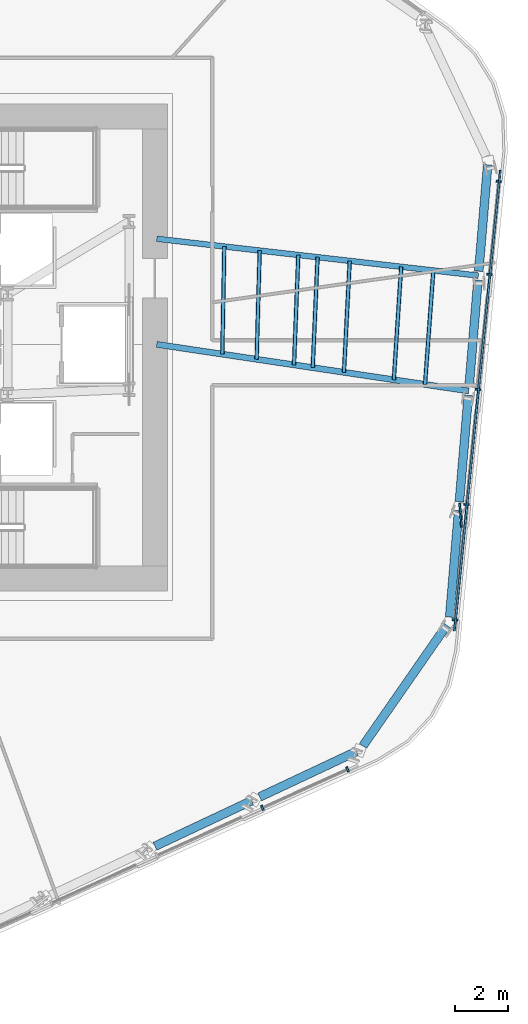
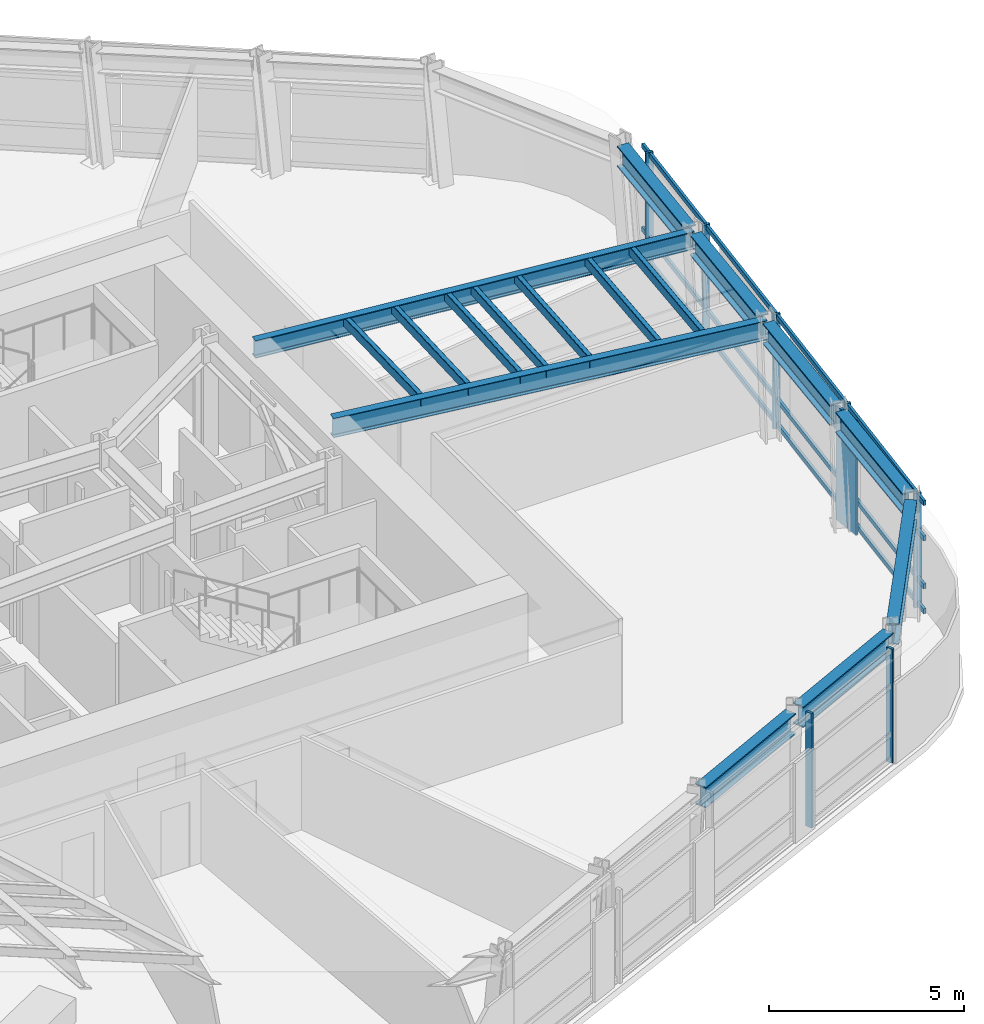
# One storey, part 5 of 16: 19 members, 9 beams, 2 elements without a shape of their own.
"""IFC4 building model written with IfcOpenShell, lengths in metres."""

from ifc_helpers import new_model, si_unit, direction, frame, origin, origin_2d, place, context, subcontext, project, spatial, rectangle, hollow_rectangle, i_section, extrude, material, layer, layer_set, material_profile, profile_set, type_object, element, aggregate, save


model = new_model("IFC4")

# Units and contexts
model_context = context("Model", 3, precision=1e-05, world=origin(), true_north=direction((0.0, 1.0)))
body_context = subcontext(model_context, "Body", "Model", "MODEL_VIEW")
ifc_project = project(units=[si_unit("LENGTHUNIT", "METRE"), si_unit("AREAUNIT", "SQUARE_METRE"), si_unit("VOLUMEUNIT", "CUBIC_METRE"), si_unit("PLANEANGLEUNIT", "RADIAN"), si_unit("MASSUNIT", "GRAM", prefix="KILO")], contexts=[model_context])

# Site, building, storey
site_placement = place(None, origin())
site = spatial("IfcSite", under=ifc_project, at=site_placement, CompositionType="ELEMENT")
building_placement = place(site_placement, origin())
building = spatial("IfcBuilding", under=site, at=building_placement, Name="Valkerne Bourse Tower", CompositionType="ELEMENT")
storey_placement = place(building_placement, frame((0.0, 0.0, 127.60009765625)))
storey = spatial("IfcBuildingStorey", under=building, at=storey_placement, Name="L32", CompositionType="ELEMENT", Elevation=127.60009765625)

# Beams
ifc_material_1 = material(Name="Steel ASTM A992", Category="steel")
ifc_material_profile_1 = material_profile(ifc_material_1, i_section(OverallWidth=0.2138671875, OverallDepth=0.548583984375, WebThickness=0.0146484375, FlangeThickness=0.023681640625, FilletRadius=0.017822265625, at=origin_2d()), Name="W21X93")
ifc_profile_set_1 = profile_set([ifc_material_profile_1], Name="Steel ASTM A992")
beam_type_1 = type_object("IfcBeamType", Name="BM-W21X93", PredefinedType="BEAM", material=ifc_profile_set_1)
beam_1_placement = place(storey_placement, frame((68.180419921875, 29.60302734375, 3.3056640625), z_axis=(-0.993487279475, 0.113943080178, 0.0), x_axis=(-0.113943080178, -0.993487279475, 0.0)))
element("IfcBeam", 1, at=beam_1_placement, inside=storey, type_object=beam_type_1, Name="L32 Radial Composite Floor Beam 28", PredefinedType="BEAM", context=body_context, shape_type="SweptSolid", body=[
    extrude(i_section(OverallWidth=0.2138671875, OverallDepth=0.548583984375, WebThickness=0.0146484375, FlangeThickness=0.023681640625, FilletRadius=0.017822265625, at=origin_2d()), origin(), (0.0, 0.0, 1.0), 12.26025390625),
])
ifc_material_profile_2 = material_profile(ifc_material_1, i_section(OverallWidth=0.330078125, OverallDepth=0.647705078125, WebThickness=0.0205078125, FlangeThickness=0.037109375, FilletRadius=0.020263671875, at=origin_2d()), Name="W24X192")
ifc_profile_set_2 = profile_set([ifc_material_profile_2], Name="Steel ASTM A992")
beam_type_2 = type_object("IfcBeamType", Name="BM-W24X192", PredefinedType="SPANDREL", material=ifc_profile_set_2)
for number, where, z_axis, x_axis, name in (
    (2, (55.9326171875, 7.99169921875, 3.256103515625), (0.904825544703, 0.425782495709, 0.0), (-0.425782495709, 0.904825544703, 0.0), "L32 Hexagonal Spandrel Ring Beam 22"),
    (3, (59.8984375, 9.85791015625, 3.256103515625), (0.904848808238, 0.425733055131, 0.0), (-0.425733055131, 0.904848808238, 0.0), "L32 Hexagonal Spandrel Ring Beam 23"),
):
    element("IfcBeam", number, at=place(storey_placement, frame(where, z_axis=z_axis, x_axis=x_axis)), inside=storey, type_object=beam_type_2, Name=name, PredefinedType="SPANDREL", context=body_context, shape_type="SweptSolid", body=[
        extrude(i_section(OverallWidth=0.330078125, OverallDepth=0.647705078125, WebThickness=0.0205078125, FlangeThickness=0.037109375, FilletRadius=0.020263671875, at=origin_2d()), origin(), (0.0, 0.0, 1.0), 4.04296875),
    ])
beam_2_placement = place(storey_placement, frame((63.807373046875, 11.791259765625, 3.256103515625), z_axis=(0.57071478467, 0.821148363306, 0.0), x_axis=(-0.821148363306, 0.57071478467, 0.0)))
element("IfcBeam", 4, at=beam_2_placement, inside=storey, type_object=beam_type_2, Name="L32 Hexagonal Spandrel Ring Beam 24", PredefinedType="SPANDREL", context=body_context, shape_type="SweptSolid", body=[
    extrude(i_section(OverallWidth=0.330078125, OverallDepth=0.647705078125, WebThickness=0.0205078125, FlangeThickness=0.037109375, FilletRadius=0.020263671875, at=origin_2d()), origin(), (0.0, 0.0, 1.0), 5.564453125),
])
for number, where, z_axis, x_axis, name in (
    (5, (67.094482421875, 16.669677734375, 3.256103515625), (0.083695133341, 0.996491407216, 0.0), (-0.996491407216, 0.083695133341, 0.0), "L32 Hexagonal Spandrel Ring Beam 25"),
    (6, (67.461181640625, 21.037109375, 3.256103515625), (0.083695133341, 0.996491407216, 0.0), (-0.996491407216, 0.083695133341, 0.0), "L32 Hexagonal Spandrel Ring Beam 26"),
    (7, (67.827880859375, 25.40478515625, 3.256103515625), (0.083695133341, 0.996491407216, 0.0), (-0.996491407216, 0.083695133341, 0.0), "L32 Hexagonal Spandrel Ring Beam 27"),
    (8, (68.194580078125, 29.7724609375, 3.256103515625), (0.083755095989, 0.996486369147, 0.0), (-0.996486369147, 0.083755095989, 0.0), "L32 Hexagonal Spandrel Ring Beam 28"),
):
    element("IfcBeam", number, at=place(storey_placement, frame(where, z_axis=z_axis, x_axis=x_axis)), inside=storey, type_object=beam_type_2, Name=name, PredefinedType="SPANDREL", context=body_context, shape_type="SweptSolid", body=[
        extrude(i_section(OverallWidth=0.330078125, OverallDepth=0.647705078125, WebThickness=0.0205078125, FlangeThickness=0.037109375, FilletRadius=0.020263671875, at=origin_2d()), origin(), (0.0, 0.0, 1.0), 4.04296875),
    ])
ifc_material_profile_3 = material_profile(ifc_material_1, i_section(OverallWidth=0.228271484375, OverallDepth=0.607177734375, WebThickness=0.01123046875, FlangeThickness=0.017333984375, FilletRadius=0.017822265625, at=origin_2d()), Name="W24X76")
ifc_profile_set_3 = profile_set([ifc_material_profile_3], Name="Steel ASTM A992")
beam_type_3 = type_object("IfcBeamType", Name="BM-W24X76", PredefinedType="JOIST", material=ifc_profile_set_3)
beam_3_placement = place(storey_placement, frame((67.813720703125, 25.2353515625, 3.2763671875), z_axis=(-0.989027168211, 0.147733748824, 0.0), x_axis=(-0.147733748824, -0.989027168211, 0.0)))
element("IfcBeam", 9, at=beam_3_placement, inside=storey, type_object=beam_type_3, Name="L32 Radial Composite Floor Beam 27", PredefinedType="JOIST", context=body_context, shape_type="SweptSolid", body=[
    extrude(i_section(OverallWidth=0.228271484375, OverallDepth=0.607177734375, WebThickness=0.01123046875, FlangeThickness=0.017333984375, FilletRadius=0.017822265625, at=origin_2d()), origin(), (0.0, 0.0, 1.0), 11.94482421875),
])

# Curtain wall, members
ifc_material_2 = material(Name="Aluminium AA 6063-T6", Category="aluminium")
ifc_layer = layer(ifc_material_2, 0.22998046875)
ifc_layer_set = layer_set([ifc_layer], Name="Aluminium AA 6063-T6")
curtain_wall_type = type_object("IfcCurtainWallType", Name="CW-02", PredefinedType="NOTDEFINED", material=ifc_layer_set)
curtain_wall_1_placement = place(storey_placement, origin())
curtain_wall_1 = element("IfcCurtainWall", 10, at=curtain_wall_1_placement, inside=storey, type_object=curtain_wall_type, Name="L32 Hexagonal Stick Curtain Wall Face 5", PredefinedType="NOTDEFINED")
ifc_material_profile_4 = material_profile(ifc_material_2, rectangle(XDim=0.074951171875, YDim=0.199951171875, at=origin_2d()), Name="CWM-75X200")
ifc_profile_set_4 = profile_set([ifc_material_profile_4], Name="Aluminium AA 6063-T6")
member_type_1 = type_object("IfcMemberType", Name="CW-MUL-220X75", PredefinedType="MULLION", material=ifc_profile_set_4)
member_1_placement = place(storey_placement, frame((59.995361328125, 9.447265625, 0.0), z_axis=(0.0, 0.0, 1.0), x_axis=(0.911409797917, 0.411499915263, 0.0)))
member_1 = element("IfcMember", 11, at=member_1_placement, type_object=member_type_1, Name="CW-L32-F5 Jamb Mullion 03A", PredefinedType="MULLION", context=body_context, shape_type="SweptSolid", body=[
    extrude(rectangle(XDim=0.074951171875, YDim=0.199951171875, at=origin_2d()), origin(), (0.0, 0.0, 1.0), 3.579833984375),
])
member_2_placement = place(storey_placement, frame((63.224365234375, 10.9052734375, 0.0), z_axis=(0.0, 0.0, 1.0), x_axis=(0.911409797917, 0.411499915263, 0.0)))
member_2 = element("IfcMember", 12, at=member_2_placement, type_object=member_type_1, Name="CW-L32-F5 Jamb Mullion 03B", PredefinedType="MULLION", context=body_context, shape_type="SweptSolid", body=[
    extrude(rectangle(XDim=0.074951171875, YDim=0.199951171875, at=origin_2d()), origin(), (0.0, 0.0, 1.0), 3.579833984375),
])
aggregate(curtain_wall_1, [member_1, member_2])

curtain_wall_2_placement = place(storey_placement, origin())
curtain_wall_2 = element("IfcCurtainWall", 13, at=curtain_wall_2_placement, inside=storey, type_object=curtain_wall_type, Name="L32 Hexagonal Stick Curtain Wall Face 6", PredefinedType="NOTDEFINED")
member_3_placement = place(storey_placement, frame((67.292724609375, 16.567138671875, 0.0), z_axis=(0.0, 0.0, 1.0), x_axis=(0.099316222871, 0.995055921984, 0.0)))
member_3 = element("IfcMember", 14, at=member_3_placement, type_object=member_type_1, Name="CW-L32-F6 Jamb Mullion 00A", PredefinedType="MULLION", context=body_context, shape_type="SweptSolid", body=[
    extrude(rectangle(XDim=0.074951171875, YDim=0.199951171875, at=origin_2d()), origin(), (0.0, 0.0, 1.0), 3.579833984375),
])
member_4_placement = place(storey_placement, frame((67.72802734375, 20.92822265625, 0.0), z_axis=(0.0, 0.0, 1.0), x_axis=(0.099336558133, 0.995053892118, 0.0)))
member_4 = element("IfcMember", 15, at=member_4_placement, type_object=member_type_1, Name="CW-L32-F6 Jamb Mullion 01A", PredefinedType="MULLION", context=body_context, shape_type="SweptSolid", body=[
    extrude(rectangle(XDim=0.074951171875, YDim=0.199951171875, at=origin_2d()), origin(), (0.0, 0.0, 1.0), 3.579833984375),
])
member_5_placement = place(storey_placement, frame((68.16357421875, 25.289794921875, 0.0), z_axis=(0.0, 0.0, 1.0), x_axis=(0.099316222871, 0.995055921984, 0.0)))
member_5 = element("IfcMember", 16, at=member_5_placement, type_object=member_type_1, Name="CW-L32-F6 Jamb Mullion 02A", PredefinedType="MULLION", context=body_context, shape_type="SweptSolid", body=[
    extrude(rectangle(XDim=0.074951171875, YDim=0.199951171875, at=origin_2d()), origin(), (0.0, 0.0, 1.0), 3.579833984375),
])
member_6_placement = place(storey_placement, frame((68.598876953125, 29.651123046875, 0.0), z_axis=(0.0, 0.0, 1.0), x_axis=(0.099316222871, 0.995055921984, 0.0)))
member_6 = element("IfcMember", 17, at=member_6_placement, type_object=member_type_1, Name="CW-L32-F6 Jamb Mullion 03A", PredefinedType="MULLION", context=body_context, shape_type="SweptSolid", body=[
    extrude(rectangle(XDim=0.074951171875, YDim=0.199951171875, at=origin_2d()), origin(), (0.0, 0.0, 1.0), 3.579833984375),
])
member_7_placement = place(storey_placement, frame((68.95068359375, 33.176513671875, 0.0), z_axis=(0.0, 0.0, 1.0), x_axis=(0.099316222871, 0.995055921984, 0.0)))
member_7 = element("IfcMember", 18, at=member_7_placement, type_object=member_type_1, Name="CW-L32-F6 Jamb Mullion 03B", PredefinedType="MULLION", context=body_context, shape_type="SweptSolid", body=[
    extrude(rectangle(XDim=0.074951171875, YDim=0.199951171875, at=origin_2d()), origin(), (0.0, 0.0, 1.0), 3.579833984375),
])
ifc_material_profile_5 = material_profile(ifc_material_2, rectangle(XDim=0.074951171875, YDim=0.14990234375, at=origin_2d()), Name="CWT-75X150")
ifc_profile_set_5 = profile_set([ifc_material_profile_5], Name="Aluminium AA 6063-T6")
member_type_2 = type_object("IfcMemberType", Name="CW-TRN-180X65", PredefinedType="USERDEFINED", material=ifc_profile_set_5)
member_8_placement = place(storey_placement, frame((67.27099609375, 16.147216796875, 0.119873046875), z_axis=(0.099317582641, 0.995055786264, 0.0), x_axis=(-0.995055786264, 0.099317582641, 0.0)))
member_8 = element("IfcMember", 19, at=member_8_placement, type_object=member_type_2, Name="CW-L32-F6 Continuous Face Transom 1", ObjectType="TRANSOM", PredefinedType="USERDEFINED", context=body_context, shape_type="SweptSolid", body=[
    extrude(rectangle(XDim=0.074951171875, YDim=0.14990234375, at=origin_2d()), origin(), (0.0, 0.0, 1.0), 17.53173828125),
])
member_9_placement = place(storey_placement, frame((67.27099609375, 16.147216796875, 0.89990234375), z_axis=(0.099317582641, 0.995055786264, 0.0), x_axis=(-0.995055786264, 0.099317582641, 0.0)))
member_9 = element("IfcMember", 20, at=member_9_placement, type_object=member_type_2, Name="CW-L32-F6 Continuous Face Transom 2", ObjectType="TRANSOM", PredefinedType="USERDEFINED", context=body_context, shape_type="SweptSolid", body=[
    extrude(rectangle(XDim=0.074951171875, YDim=0.14990234375, at=origin_2d()), origin(), (0.0, 0.0, 1.0), 17.53173828125),
])
member_10_placement = place(storey_placement, frame((67.27099609375, 16.147216796875, 2.39990234375), z_axis=(0.099317582641, 0.995055786264, 0.0), x_axis=(-0.995055786264, 0.099317582641, 0.0)))
member_10 = element("IfcMember", 21, at=member_10_placement, type_object=member_type_2, Name="CW-L32-F6 Continuous Face Transom 3", ObjectType="TRANSOM", PredefinedType="USERDEFINED", context=body_context, shape_type="SweptSolid", body=[
    extrude(rectangle(XDim=0.074951171875, YDim=0.14990234375, at=origin_2d()), origin(), (0.0, 0.0, 1.0), 17.53173828125),
])
member_11_placement = place(storey_placement, frame((67.27099609375, 16.147216796875, 3.5), z_axis=(0.099317582641, 0.995055786264, 0.0), x_axis=(-0.995055786264, 0.099317582641, 0.0)))
member_11 = element("IfcMember", 22, at=member_11_placement, type_object=member_type_2, Name="CW-L32-F6 Continuous Face Transom 4", ObjectType="TRANSOM", PredefinedType="USERDEFINED", context=body_context, shape_type="SweptSolid", body=[
    extrude(rectangle(XDim=0.074951171875, YDim=0.14990234375, at=origin_2d()), origin(), (0.0, 0.0, 1.0), 17.53173828125),
])
aggregate(curtain_wall_2, [member_8, member_9, member_10, member_11, member_3, member_4, member_5, member_6, member_7])

# Members
ifc_material_3 = material(Name="Bronze Anodised Aluminium AA 6063-T6", Category="aluminium")
ifc_material_profile_6 = material_profile(ifc_material_3, rectangle(XDim=0.070068359375, YDim=0.89990234375, at=origin_2d()), Name="FIN-70X900")
ifc_profile_set_6 = profile_set([ifc_material_profile_6], Name="Bronze Anodised Aluminium AA 6063-T6")
member_type_3 = type_object("IfcMemberType", Name="FIN-SOLAR-900", PredefinedType="USERDEFINED", material=ifc_profile_set_6)
member_12_placement = place(storey_placement, frame((67.50732421875, 20.5283203125, 0.00390625), z_axis=(0.0, 0.0, 1.0), x_axis=(0.996702812319, 0.081138794145, 0.0)))
element("IfcMember", 23, at=member_12_placement, inside=storey, type_object=member_type_3, Name="L32 Bronze Anodised Solar Fin F6-01", ObjectType="SOLAR_FIN", PredefinedType="USERDEFINED", context=body_context, shape_type="SweptSolid", body=[
    extrude(rectangle(XDim=0.070068359375, YDim=0.89990234375, at=origin_2d()), origin(), (0.0, 0.0, 1.0), 3.572021484375),
])
ifc_material_4 = material(Name="Steel ASTM A500 Grade C", Category="steel")
ifc_material_profile_7 = material_profile(ifc_material_4, hollow_rectangle(XDim=0.14990234375, YDim=0.300048828125, WallThickness=0.012451171875, OuterFilletRadius=0.02490234375, at=origin_2d()), Name="HSS300X150X12.5")
ifc_profile_set_7 = profile_set([ifc_material_profile_7], Name="Steel ASTM A500 Grade C")
member_type_4 = type_object("IfcMemberType", Name="MBR-HSS300X150X12.5", PredefinedType="PURLIN", material=ifc_profile_set_7)
member_13_placement = place(storey_placement, frame((59.780517578125, 26.435302734375, 3.419921875), z_axis=(0.028448104469, 0.999595270773, 0.0), x_axis=(-0.999595270773, 0.028448104469, 0.0)))
element("IfcMember", 24, at=member_13_placement, inside=storey, type_object=member_type_4, Name="L32 Secondary Composite Floor Purlin I-27", PredefinedType="PURLIN", context=body_context, shape_type="SweptSolid", body=[
    extrude(hollow_rectangle(XDim=0.14990234375, YDim=0.300048828125, WallThickness=0.012451171875, OuterFilletRadius=0.02490234375, at=origin_2d()), origin(), (0.0, 0.0, 1.0), 4.119384765625),
])
member_14_placement = place(storey_placement, frame((61.197998046875, 26.2236328125, 3.419921875), z_axis=(0.038746034423, 0.999249090476, 0.0), x_axis=(-0.999249090476, 0.038746034423, 0.0)))
element("IfcMember", 25, at=member_14_placement, inside=storey, type_object=member_type_4, Name="L32 Secondary Composite Floor Purlin K-27", PredefinedType="PURLIN", context=body_context, shape_type="SweptSolid", body=[
    extrude(hollow_rectangle(XDim=0.14990234375, YDim=0.300048828125, WallThickness=0.012451171875, OuterFilletRadius=0.02490234375, at=origin_2d()), origin(), (0.0, 0.0, 1.0), 4.1650390625),
])
member_15_placement = place(storey_placement, frame((61.906982421875, 26.11767578125, 3.419921875), z_axis=(0.043723100076, 0.999043687994, 0.0), x_axis=(-0.999043687994, 0.043723100076, 0.0)))
element("IfcMember", 26, at=member_15_placement, inside=storey, type_object=member_type_4, Name="L32 Secondary Composite Floor Purlin M-27", PredefinedType="PURLIN", context=body_context, shape_type="SweptSolid", body=[
    extrude(hollow_rectangle(XDim=0.14990234375, YDim=0.300048828125, WallThickness=0.012451171875, OuterFilletRadius=0.02490234375, at=origin_2d()), origin(), (0.0, 0.0, 1.0), 4.187744140625),
])
member_16_placement = place(storey_placement, frame((64.978515625, 25.658935546875, 3.419921875), z_axis=(0.064954672475, 0.997888215445, 0.0), x_axis=(-0.997888215445, 0.064954672475, 0.0)))
element("IfcMember", 27, at=member_16_placement, inside=storey, type_object=member_type_4, Name="L32 Secondary Composite Floor Purlin O-27", PredefinedType="PURLIN", context=body_context, shape_type="SweptSolid", body=[
    extrude(hollow_rectangle(XDim=0.14990234375, YDim=0.300048828125, WallThickness=0.012451171875, OuterFilletRadius=0.02490234375, at=origin_2d()), origin(), (0.0, 0.0, 1.0), 4.28857421875),
])
member_17_placement = place(storey_placement, frame((63.08837890625, 25.941162109375, 3.419921875), z_axis=(0.052046439363, 0.998644665609, 0.0), x_axis=(-0.998644665609, 0.052046439363, 0.0)))
element("IfcMember", 28, at=member_17_placement, inside=storey, type_object=member_type_4, Name="L32 Secondary Composite Floor Purlin Z-27", PredefinedType="PURLIN", context=body_context, shape_type="SweptSolid", body=[
    extrude(hollow_rectangle(XDim=0.14990234375, YDim=0.300048828125, WallThickness=0.012451171875, OuterFilletRadius=0.02490234375, at=origin_2d()), origin(), (0.0, 0.0, 1.0), 4.226318359375),
])
member_18_placement = place(storey_placement, frame((58.48095703125, 26.62939453125, 3.419921875), z_axis=(0.018857792075, 0.999822176028, 0.0), x_axis=(-0.999822176028, 0.018857792075, 0.0)))
element("IfcMember", 29, at=member_18_placement, inside=storey, type_object=member_type_4, Name="L32 Secondary Composite Floor Purlin S-27", PredefinedType="PURLIN", context=body_context, shape_type="SweptSolid", body=[
    extrude(hollow_rectangle(XDim=0.14990234375, YDim=0.300048828125, WallThickness=0.012451171875, OuterFilletRadius=0.02490234375, at=origin_2d()), origin(), (0.0, 0.0, 1.0), 4.078125),
])
member_19_placement = place(storey_placement, frame((66.159912109375, 25.482421875, 3.419921875), z_axis=(0.072830563253, 0.997344328232, 0.0), x_axis=(-0.997344328232, 0.072830563253, 0.0)))
element("IfcMember", 30, at=member_19_placement, inside=storey, type_object=member_type_4, Name="L32 Secondary Composite Floor Purlin T-27", PredefinedType="PURLIN", context=body_context, shape_type="SweptSolid", body=[
    extrude(hollow_rectangle(XDim=0.14990234375, YDim=0.300048828125, WallThickness=0.012451171875, OuterFilletRadius=0.02490234375, at=origin_2d()), origin(), (0.0, 0.0, 1.0), 4.32763671875),
])

save(model, "model.ifc")
